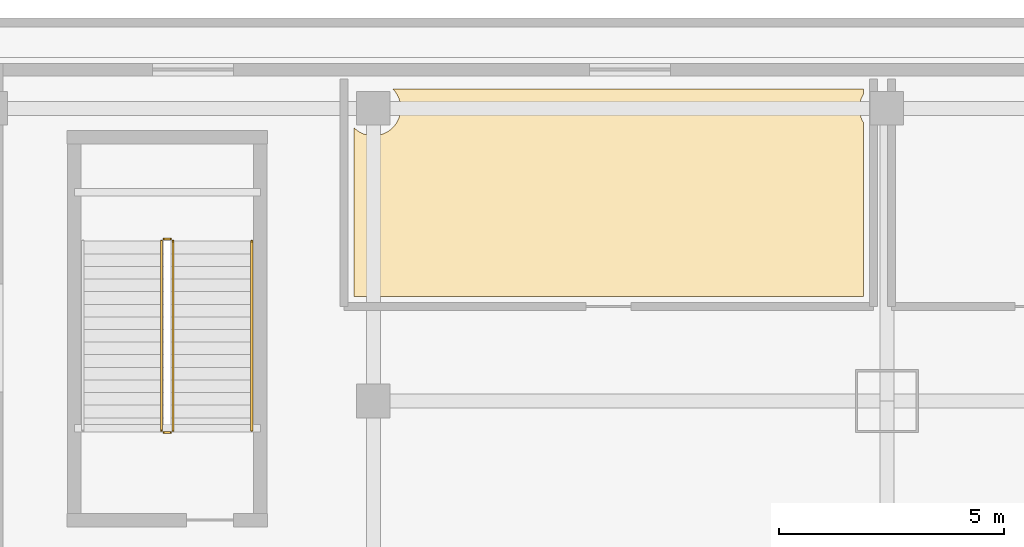
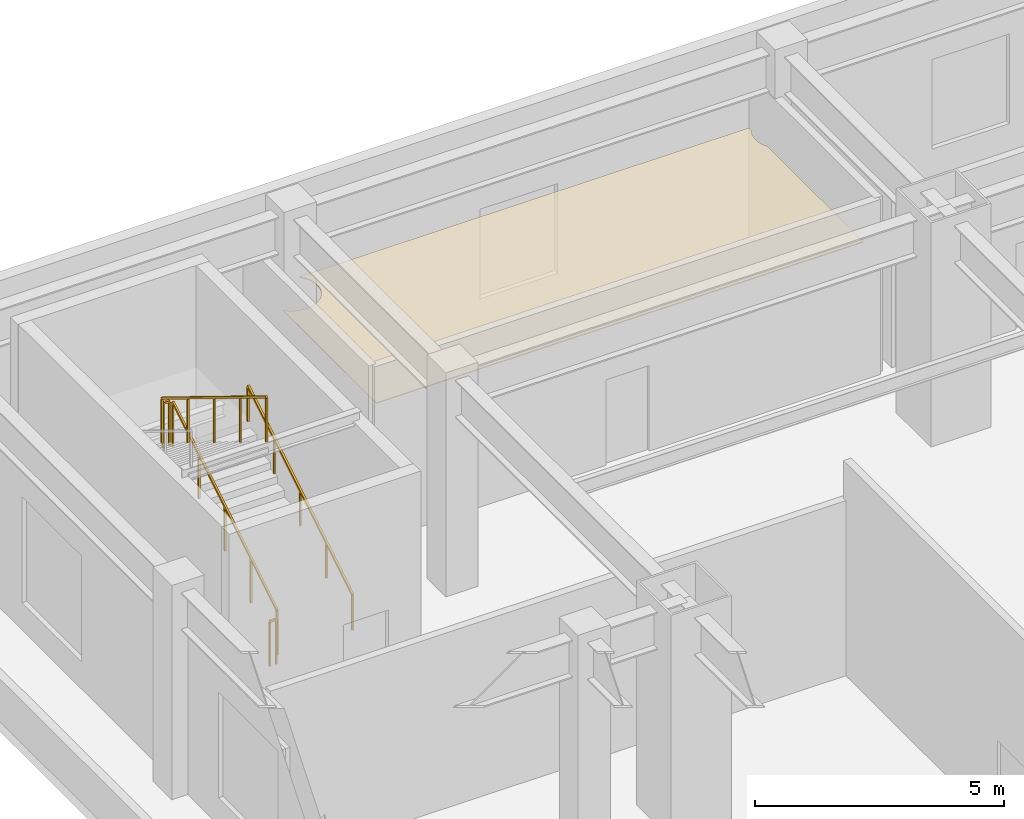
# One storey, part 22 of 24: 5 railings, 1 covering.
"""IFC4 building model written with IfcOpenShell, lengths in metres."""

from ifc_helpers import new_model, si_unit, direction, frame, origin, origin_2d, place, context, subcontext, project, spatial, polyline, rectangle, outline, extrude, material, layer, layer_set, type_object, element, save


model = new_model("IFC4")

# Units and contexts
model_context = context("Model", 3, precision=1e-05, world=origin(), true_north=direction((0.0, 1.0)))
body_context = subcontext(model_context, "Body", "Model", "MODEL_VIEW")
ifc_project = project(units=[si_unit("LENGTHUNIT", "METRE"), si_unit("AREAUNIT", "SQUARE_METRE"), si_unit("VOLUMEUNIT", "CUBIC_METRE"), si_unit("PLANEANGLEUNIT", "RADIAN"), si_unit("MASSUNIT", "GRAM", prefix="KILO")], contexts=[model_context])

# Site, building, storey
site_placement = place(None, origin())
site = spatial("IfcSite", under=ifc_project, at=site_placement, CompositionType="ELEMENT")
building_placement = place(site_placement, origin())
building = spatial("IfcBuilding", under=site, at=building_placement, Name="Vantalir Tower", CompositionType="ELEMENT")
storey_placement = place(building_placement, frame((0.0, 0.0, 16.0)))
storey = spatial("IfcBuildingStorey", under=building, at=storey_placement, Name="L03", CompositionType="ELEMENT", Elevation=16.0)

# Covering
ifc_material_1 = material(Name="Perforated acoustic gypsum ceiling board", Category="gypsum")
ifc_layer = layer(ifc_material_1, 0.02001953125)
ifc_layer_set = layer_set([ifc_layer], Name="Perforated acoustic gypsum ceiling board")
covering_type = type_object("IfcCoveringType", Name="COV-ACOUSTIC-CEIL-20", PredefinedType="CEILING", material=ifc_layer_set)
covering_placement = place(storey_placement, frame((0.0, 0.0, 3.1298828125)))
element("IfcCovering", 1, at=covering_placement, inside=storey, type_object=covering_type, Name="L03 Ballroom Audio-Visual Administration Office Suspended Ceiling", PredefinedType="CEILING", context=body_context, shape_type="SweptSolid", body=[
    extrude(outline(polyline([(21.3798828125, 48.429931640625), (10.929931640625, 48.429931640625), (10.969970703125, 48.385986328125), (11.006103515625, 48.337890625), (11.035888671875, 48.287109375), (11.06201171875, 48.23291015625), (11.08203125, 48.176025390625), (11.095947265625, 48.118896484375), (11.10498046875, 48.06005859375), (11.10791015625, 48.0), (11.10498046875, 47.93994140625), (11.095947265625, 47.881103515625), (11.08203125, 47.823974609375), (11.06201171875, 47.76708984375), (11.035888671875, 47.712890625), (11.006103515625, 47.662109375), (10.969970703125, 47.614013671875), (10.929931640625, 47.570068359375), (10.885986328125, 47.530029296875), (10.837890625, 47.493896484375), (10.787109375, 47.464111328125), (10.73291015625, 47.43798828125), (10.676025390625, 47.41796875), (10.618896484375, 47.404052734375), (10.56005859375, 47.39501953125), (10.5, 47.39208984375), (10.43994140625, 47.39501953125), (10.381103515625, 47.404052734375), (10.323974609375, 47.41796875), (10.26708984375, 47.43798828125), (10.212890625, 47.464111328125), (10.162109375, 47.493896484375), (10.114013671875, 47.530029296875), (10.070068359375, 47.570068359375), (10.070068359375, 43.820068359375), (21.3798828125, 43.820068359375), (21.3798828125, 47.68603515625), (21.364013671875, 47.712890625), (21.337890625, 47.76708984375), (21.318115234375, 47.823974609375), (21.303955078125, 47.881103515625), (21.294921875, 47.93994140625), (21.2919921875, 48.0), (21.294921875, 48.06005859375), (21.303955078125, 48.118896484375), (21.318115234375, 48.176025390625), (21.337890625, 48.23291015625), (21.364013671875, 48.287109375), (21.3798828125, 48.31396484375), (21.3798828125, 48.429931640625)])), origin(), (0.0, 0.0, 1.0), 0.02001953125),
])

# Railings
ifc_material_2 = material(Name="Anodised aluminium and stainless steel guard", Category="steel")
railing_type_1 = type_object("IfcRailingType", Name="RAL-GUARD-1120", PredefinedType="GUARDRAIL", material=ifc_material_2)
railing_1_placement = place(storey_placement, frame((6.050048828125, 40.85009765625, 0.171875)))
element("IfcRailing", 2, at=railing_1_placement, inside=storey, type_object=railing_type_1, Name="L03 PST1 stair guard 1", PredefinedType="GUARDRAIL", context=body_context, shape_type="SweptSolid", body=[
    extrude(rectangle(XDim=0.048095703125, YDim=0.048095703125, at=origin_2d()), frame((0.0, 0.0, 1.09619140625), z_axis=(0.0, 0.852242915053, 0.523146264196), x_axis=(-1.0, 0.0, 0.0)), (0.0, 0.0, 1.0), 4.92822265625),
    extrude(rectangle(XDim=0.0419921875, YDim=0.0419921875, at=origin_2d()), origin(), (0.0, 0.0, 1.0), 1.072021484375),
    extrude(rectangle(XDim=0.0419921875, YDim=0.0419921875, at=origin_2d()), frame((0.0, 1.050048828125, 0.64453125)), (0.0, 0.0, 1.0), 1.072021484375),
    extrude(rectangle(XDim=0.0419921875, YDim=0.0419921875, at=origin_2d()), frame((0.0, 2.10009765625, 1.2890625)), (0.0, 0.0, 1.0), 1.072021484375),
    extrude(rectangle(XDim=0.0419921875, YDim=0.0419921875, at=origin_2d()), frame((0.0, 3.14990234375, 1.93359375)), (0.0, 0.0, 1.0), 1.072021484375),
    extrude(rectangle(XDim=0.0419921875, YDim=0.0419921875, at=origin_2d()), frame((0.0, 4.199951171875, 2.578125)), (0.0, 0.0, 1.0), 1.072021484375),
])
railing_2_placement = place(storey_placement, frame((6.0, 45.10009765625, 2.75)))
element("IfcRailing", 3, at=railing_2_placement, inside=storey, type_object=railing_type_1, Name="L03 PST1 stair guard 2", PredefinedType="GUARDRAIL", context=body_context, shape_type="SweptSolid", body=[
    extrude(rectangle(XDim=0.048095703125, YDim=0.048095703125, at=origin_2d()), frame((0.0, 0.0, 1.09619140625), z_axis=(-1.0, 0.0, 0.0), x_axis=(0.0, -1.0, 0.0)), (0.0, 0.0, 1.0), 0.14990234375),
    extrude(rectangle(XDim=0.0419921875, YDim=0.0419921875, at=origin_2d()), origin(), (0.0, 0.0, 1.0), 1.072021484375),
    extrude(rectangle(XDim=0.0419921875, YDim=0.0419921875, at=origin_2d()), frame((-0.14990234375, 0.0, 0.0)), (0.0, 0.0, 1.0), 1.072021484375),
])
railing_3_placement = place(storey_placement, frame((5.800048828125, 45.050048828125, 2.921875)))
element("IfcRailing", 4, at=railing_3_placement, inside=storey, type_object=railing_type_1, Name="L03 PST1 stair guard 3", PredefinedType="GUARDRAIL", context=body_context, shape_type="SweptSolid", body=[
    extrude(rectangle(XDim=0.048095703125, YDim=0.048095703125, at=origin_2d()), frame((0.0, 0.0, 1.09619140625), z_axis=(0.0, -0.852242915053, 0.523146264196), x_axis=(1.0, 0.0, 0.0)), (0.0, 0.0, 1.0), 4.92822265625),
    extrude(rectangle(XDim=0.0419921875, YDim=0.0419921875, at=origin_2d()), origin(), (0.0, 0.0, 1.0), 1.072021484375),
    extrude(rectangle(XDim=0.0419921875, YDim=0.0419921875, at=origin_2d()), frame((0.0, -1.050048828125, 0.64453125)), (0.0, 0.0, 1.0), 1.072021484375),
    extrude(rectangle(XDim=0.0419921875, YDim=0.0419921875, at=origin_2d()), frame((0.0, -2.10009765625, 1.2890625)), (0.0, 0.0, 1.0), 1.072021484375),
    extrude(rectangle(XDim=0.0419921875, YDim=0.0419921875, at=origin_2d()), frame((0.0, -3.14990234375, 1.93359375)), (0.0, 0.0, 1.0), 1.072021484375),
    extrude(rectangle(XDim=0.0419921875, YDim=0.0419921875, at=origin_2d()), frame((0.0, -4.199951171875, 2.578125)), (0.0, 0.0, 1.0), 1.072021484375),
])
railing_4_placement = place(storey_placement, frame((6.0, 40.800048828125, 0.0)))
element("IfcRailing", 5, at=railing_4_placement, inside=storey, type_object=railing_type_1, Name="L03 PST1 stair guard 4", PredefinedType="GUARDRAIL", context=body_context, shape_type="SweptSolid", body=[
    extrude(rectangle(XDim=0.048095703125, YDim=0.048095703125, at=origin_2d()), frame((0.0, 0.0, 1.09619140625), z_axis=(-1.0, 0.0, 0.0), x_axis=(0.0, -1.0, 0.0)), (0.0, 0.0, 1.0), 0.14990234375),
    extrude(rectangle(XDim=0.0419921875, YDim=0.0419921875, at=origin_2d()), origin(), (0.0, 0.0, 1.0), 1.072021484375),
    extrude(rectangle(XDim=0.0419921875, YDim=0.0419921875, at=origin_2d()), frame((-0.14990234375, 0.0, 0.0)), (0.0, 0.0, 1.0), 1.072021484375),
])
ifc_material_3 = material(Name="Brushed stainless steel tubular handrail", Category="steel")
railing_type_2 = type_object("IfcRailingType", Name="RAL-HANDRAIL-900", PredefinedType="HANDRAIL", material=ifc_material_3)
railing_5_placement = place(storey_placement, frame((7.800048828125, 40.85009765625, 0.171875)))
element("IfcRailing", 6, at=railing_5_placement, inside=storey, type_object=railing_type_2, Name="L03 PST1 stair handrail 1", PredefinedType="HANDRAIL", context=body_context, shape_type="SweptSolid", body=[
    extrude(rectangle(XDim=0.048095703125, YDim=0.048095703125, at=origin_2d()), frame((0.0, 0.0, 0.8759765625), z_axis=(0.0, 0.852242915053, 0.523146264196), x_axis=(-1.0, 0.0, 0.0)), (0.0, 0.0, 1.0), 4.92822265625),
    extrude(rectangle(XDim=0.0419921875, YDim=0.0419921875, at=origin_2d()), origin(), (0.0, 0.0, 1.0), 0.851806640625),
    extrude(rectangle(XDim=0.0419921875, YDim=0.0419921875, at=origin_2d()), frame((0.0, 1.050048828125, 0.64453125)), (0.0, 0.0, 1.0), 0.851806640625),
    extrude(rectangle(XDim=0.0419921875, YDim=0.0419921875, at=origin_2d()), frame((0.0, 2.10009765625, 1.2890625)), (0.0, 0.0, 1.0), 0.851806640625),
    extrude(rectangle(XDim=0.0419921875, YDim=0.0419921875, at=origin_2d()), frame((0.0, 3.14990234375, 1.93359375)), (0.0, 0.0, 1.0), 0.851806640625),
    extrude(rectangle(XDim=0.0419921875, YDim=0.0419921875, at=origin_2d()), frame((0.0, 4.199951171875, 2.578125)), (0.0, 0.0, 1.0), 0.851806640625),
])

save(model, "model.ifc")
